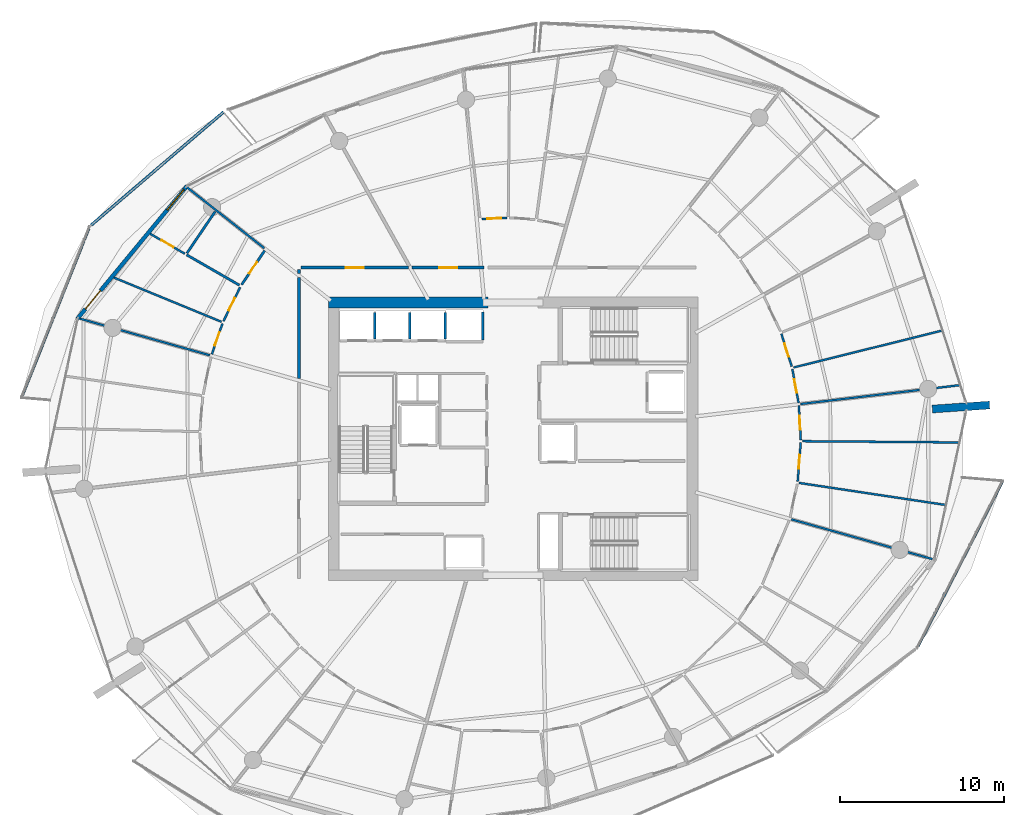
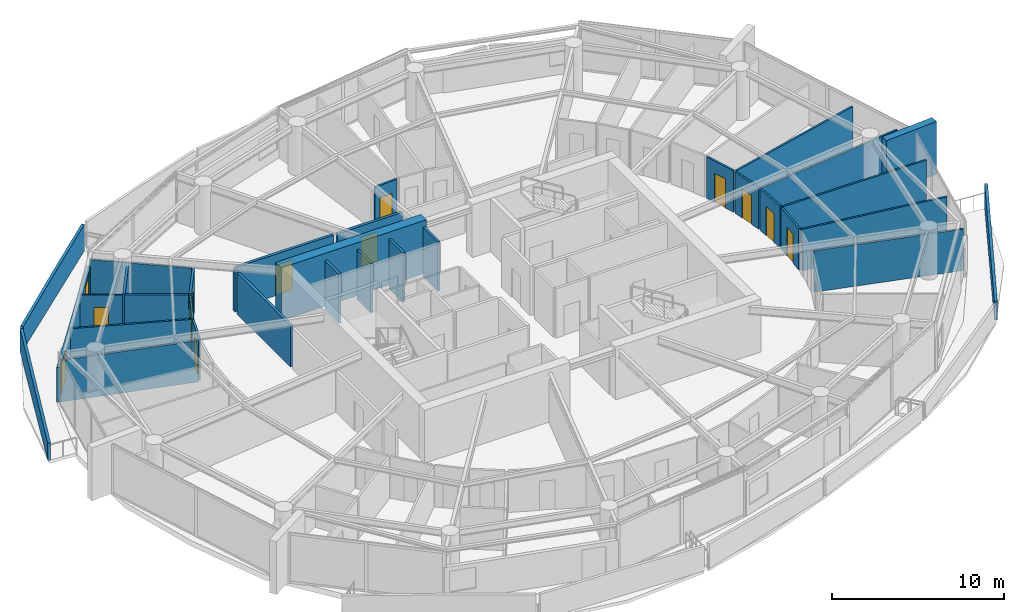
# One storey, part 14 of 21: 33 walls, 12 doors, 1 window, 13 openings.
"""IFC4 building model written with IfcOpenShell, lengths in metres."""

from ifc_helpers import new_model, si_unit, direction, frame, frame_2d, origin, place, context, subcontext, project, spatial, polyline, rectangle, outline, extrude, material, layer, layer_set, type_object, element, fill, save


model = new_model("IFC4")

# Units and contexts
model_context = context("Model", 3, precision=1e-05, world=origin(), true_north=direction((0.0, 1.0)))
body_context = subcontext(model_context, "Body", "Model", "MODEL_VIEW")
ifc_project = project(units=[si_unit("LENGTHUNIT", "METRE"), si_unit("AREAUNIT", "SQUARE_METRE"), si_unit("VOLUMEUNIT", "CUBIC_METRE"), si_unit("PLANEANGLEUNIT", "RADIAN"), si_unit("MASSUNIT", "GRAM", prefix="KILO")], contexts=[model_context])

# Site, building, storey
site_placement = place(None, origin())
site = spatial("IfcSite", under=ifc_project, at=site_placement, CompositionType="ELEMENT")
building_placement = place(site_placement, origin())
building = spatial("IfcBuilding", under=site, at=building_placement, Name="Kazma Halo Residences", CompositionType="ELEMENT")
storey_placement = place(building_placement, frame((0.0, 0.0, 176.550048828125)))
storey = spatial("IfcBuildingStorey", under=building, at=storey_placement, Name="L44", CompositionType="ELEMENT", Elevation=176.550048828125)

# Walls
ifc_material_1 = material(Name="White Concrete C50/60 Balustrade", Category="concrete")
ifc_layer_1 = layer(ifc_material_1, 0.179931640625)
ifc_layer_set_1 = layer_set([ifc_layer_1], Name="White Concrete C50/60 Balustrade")
wall_type_1 = type_object("IfcWallType", Name="WL-BAL-WAVE-180", PredefinedType="PARAPET", material=ifc_layer_set_1)
wall_1_placement = place(storey_placement, frame((30.751708984375, 61.947021484375, 0.0), z_axis=(0.0, 0.0, 1.0), x_axis=(-0.760227532438, -0.649656908624, 0.0)))
element("IfcWall", 1, at=wall_1_placement, inside=storey, type_object=wall_type_1, Name="L44 white wave balustrade wall NW.1", PredefinedType="PARAPET", context=body_context, shape_type="SweptSolid", body=[
    extrude(outline(polyline([(0.0, 0.0), (10.640380859375, 0.0), (10.640380859375, 1.6318359375), (5.3203125, 1.7978515625), (0.0, 1.85986328125), (0.0, 0.0)])), frame((0.0, 0.08984375, 0.0), z_axis=(0.0, -1.0, 0.0), x_axis=(1.0, 0.0, 0.0)), (0.0, 0.0, 1.0), 0.179931640625),
])
wall_2_placement = place(storey_placement, frame((22.52685546875, 54.844970703125, 0.0), z_axis=(0.0, 0.0, 1.0), x_axis=(-0.369781756991, -0.929118642691, 0.0)))
element("IfcWall", 2, at=wall_2_placement, inside=storey, type_object=wall_type_1, Name="L44 white wave balustrade wall NW.2", PredefinedType="PARAPET", context=body_context, shape_type="SweptSolid", body=[
    extrude(outline(polyline([(0.0, 0.0), (11.122802734375, 0.0), (11.123046875, 1.23291015625), (5.5615234375, 1.41796875), (0.0, 1.6318359375), (0.0, 0.0)])), frame((0.0, 0.08984375, 0.0), z_axis=(0.0, -1.0, 0.0), x_axis=(1.0, 0.0, 0.0)), (0.0, 0.0, 1.0), 0.179931640625),
])
wall_3_placement = place(storey_placement, frame((73.128662109375, 29.330810546875, 0.0), z_axis=(0.0, 0.0, 1.0), x_axis=(0.456201330326, 0.889876590437, 0.0)))
element("IfcWall", 3, at=wall_3_placement, inside=storey, type_object=wall_type_1, Name="L44 white wave balustrade wall SE.2", PredefinedType="PARAPET", context=body_context, shape_type="SweptSolid", body=[
    extrude(outline(polyline([(0.0, 0.0), (11.347412109375, 0.0), (11.347412109375, 1.7470703125), (5.673583984375, 1.56201171875), (0.0, 1.347900390625), (0.0, 0.0)])), frame((0.0, 0.08984375, 0.0), z_axis=(0.0, -1.0, 0.0), x_axis=(1.0, 0.0, 0.0)), (0.0, 0.0, 1.0), 0.179931640625),
])
ifc_material_2 = material(Name="Pale Concrete C60/75", Category="concrete")
ifc_layer_2 = layer(ifc_material_2, 0.47998046875)
ifc_layer_set_2 = layer_set([ifc_layer_2], Name="Pale Concrete C60/75")
wall_type_2 = type_object("IfcWallType", Name="WL-BLADE-480", PredefinedType="SOLIDWALL", material=ifc_layer_set_2)
wall_4_placement = place(storey_placement, frame((74.0126953125, 43.819091796875, 0.0), z_axis=(0.0, 0.0, 1.0), x_axis=(0.997568676264, 0.069690287244, 0.0)))
element("IfcWall", 4, at=wall_4_placement, inside=storey, type_object=wall_type_2, Name="L44 pale concrete structural blade fin wall BW-04", PredefinedType="SOLIDWALL", context=body_context, shape_type="SweptSolid", body=[
    extrude(rectangle(XDim=3.499755859375, YDim=0.47998046875, at=frame_2d((1.75, 0.0))), origin(), (0.0, 0.0, 1.0), 3.75),
])
ifc_material_3 = material(Name="Concrete C60/75", Category="concrete")
ifc_layer_3 = layer(ifc_material_3, 0.64990234375)
ifc_layer_set_3 = layer_set([ifc_layer_3], Name="Concrete C60/75")
wall_type_3 = type_object("IfcWallType", Name="WL-CORE-650", PredefinedType="SHEAR", material=ifc_layer_set_3)
wall_5_placement = place(storey_placement, frame((37.14990234375, 50.324951171875, 0.0), z_axis=(0.0, 0.0, 1.0), x_axis=(1.0, 0.0, 0.0)))
element("IfcWall", 5, at=wall_5_placement, inside=storey, type_object=wall_type_3, Name="L44 central core shear wall NW", PredefinedType="SHEAR", context=body_context, shape_type="SweptSolid", body=[
    extrude(rectangle(XDim=9.75, YDim=0.64990234375, at=frame_2d((4.875, 0.0))), origin(), (0.0, 0.0, 1.0), 3.75),
])

# Wall, opening, door
ifc_material_4 = material(Name="Acoustic Twin-Stud Gypsum")
ifc_layer_4 = layer(ifc_material_4, 0.179931640625)
ifc_layer_set_4 = layer_set([ifc_layer_4], Name="Acoustic Twin-Stud Gypsum")
wall_type_4 = type_object("IfcWallType", Name="WL-DEM-180", PredefinedType="PARTITIONING", material=ifc_layer_set_4)
wall_6_placement = place(storey_placement, frame((46.643310546875, 52.449951171875, 0.0), z_axis=(0.0, 0.0, 1.0), x_axis=(-1.0, 0.0, 0.0)))
wall_6 = element("IfcWall", 6, at=wall_6_placement, inside=storey, type_object=wall_type_4, Name="L44 Apartment 1 entrance corridor wall", PredefinedType="PARTITIONING", context=body_context, shape_type="SweptSolid", body=[
    extrude(rectangle(XDim=4.375732421875, YDim=0.179931640625, at=frame_2d((2.18798828125, 0.0))), origin(), (0.0, 0.0, 1.0), 2.93994140625),
])
opening_1_placement = place(wall_6_placement, frame((1.6376953125, 0.0, 0.0)))
opening_1 = element("IfcOpeningElement", 7, at=opening_1_placement, cuts=wall_6, Name="Opening DA-1100", PredefinedType="OPENING", context=body_context, shape_type="SweptSolid", body=[
    extrude(rectangle(XDim=1.10009765625, YDim=2.10009765625, at=frame_2d((0.550048828125, 1.050048828125))), frame((0.0, 0.099853515625, 0.0), z_axis=(0.0, -1.0, 0.0), x_axis=(1.0, 0.0, 0.0)), (0.0, 0.0, 1.0), 0.199951171875),
])
ifc_material_5 = material(Name="Acoustic Walnut Fire Leaf")
door_type_1 = type_object("IfcDoorType", Name="DR-FD60-1100", OperationType="NOTDEFINED", PredefinedType="DOOR", material=ifc_material_5)
door_1_placement = place(opening_1_placement, origin())
door_1 = element("IfcDoor", 8, at=door_1_placement, inside=storey, type_object=door_type_1, Name="L44 Apartment 1 entrance fire door", OperationType="SINGLE_SWING_RIGHT", OverallHeight=2.10009765625, OverallWidth=1.10009765625, PredefinedType="DOOR", context=body_context, shape_type="SweptSolid", body=[
    extrude(rectangle(XDim=1.10009765625, YDim=2.10009765625, at=frame_2d((0.550048828125, 1.050048828125))), frame((0.0, 0.02490234375, 0.0), z_axis=(0.0, -1.0, 0.0), x_axis=(1.0, 0.0, 0.0)), (0.0, 0.0, 1.0), 0.050048828125),
])
fill(opening_1, door_1)

wall_7_placement = place(storey_placement, frame((42.027587890625, 52.449951171875, 0.0), z_axis=(0.0, 0.0, 1.0), x_axis=(-1.0, 0.0, 0.0)))
wall_7 = element("IfcWall", 9, at=wall_7_placement, inside=storey, type_object=wall_type_4, Name="L44 Apartment 2 entrance corridor wall", PredefinedType="PARTITIONING", context=body_context, shape_type="SweptSolid", body=[
    extrude(rectangle(XDim=6.5576171875, YDim=0.179931640625, at=frame_2d((3.27880859375, 0.0))), origin(), (0.0, 0.0, 1.0), 2.93994140625),
])
opening_2_placement = place(wall_7_placement, frame((2.72900390625, 0.0, 0.0)))
opening_2 = element("IfcOpeningElement", 10, at=opening_2_placement, cuts=wall_7, Name="Opening DA-1100", PredefinedType="OPENING", context=body_context, shape_type="SweptSolid", body=[
    extrude(rectangle(XDim=1.10009765625, YDim=2.10009765625, at=frame_2d((0.550048828125, 1.050048828125))), frame((0.0, 0.099853515625, 0.0), z_axis=(0.0, -1.0, 0.0), x_axis=(1.0, 0.0, 0.0)), (0.0, 0.0, 1.0), 0.199951171875),
])
door_2_placement = place(opening_2_placement, origin())
door_2 = element("IfcDoor", 11, at=door_2_placement, inside=storey, type_object=door_type_1, Name="L44 Apartment 2 entrance fire door", OperationType="SINGLE_SWING_LEFT", OverallHeight=2.10009765625, OverallWidth=1.10009765625, PredefinedType="DOOR", context=body_context, shape_type="SweptSolid", body=[
    extrude(rectangle(XDim=1.10009765625, YDim=2.10009765625, at=frame_2d((0.550048828125, 1.050048828125))), frame((0.0, 0.02490234375, 0.0), z_axis=(0.0, -1.0, 0.0), x_axis=(1.0, 0.0, 0.0)), (0.0, 0.0, 1.0), 0.050048828125),
])
fill(opening_2, door_2)

# Walls
wall_8_placement = place(storey_placement, frame((35.35009765625, 52.330078125, 0.0), z_axis=(0.0, 0.0, 1.0), x_axis=(0.0, -1.0, 0.0)))
element("IfcWall", 12, at=wall_8_placement, inside=storey, type_object=wall_type_4, Name="L44 Apartment 2 entrance corridor wall", PredefinedType="PARTITIONING", context=body_context, shape_type="SweptSolid", body=[
    extrude(rectangle(XDim=0.237548828125, YDim=0.179931640625, at=frame_2d((0.11865234375, 0.0))), origin(), (0.0, 0.0, 1.0), 2.93994140625),
])
wall_9_placement = place(storey_placement, frame((35.35009765625, 51.8525390625, 0.0), z_axis=(0.0, 0.0, 1.0), x_axis=(0.0, -1.0, 0.0)))
element("IfcWall", 13, at=wall_9_placement, inside=storey, type_object=wall_type_4, Name="L44 Apartment 2 inner wall 5", PredefinedType="PARTITIONING", context=body_context, shape_type="SweptSolid", body=[
    extrude(rectangle(XDim=6.164794921875, YDim=0.179931640625, at=frame_2d((3.08251953125, 0.0))), origin(), (0.0, 0.0, 1.0), 2.93994140625),
])

# Wall, openings, door, window
ifc_material_6 = material(Name="Insulated Pale-Metal Composite Wall")
ifc_layer_5 = layer(ifc_material_6, 0.239990234375)
ifc_layer_set_5 = layer_set([ifc_layer_5], Name="Insulated Pale-Metal Composite Wall")
wall_type_5 = type_object("IfcWallType", Name="WL-EXT-HOST-240", PredefinedType="SOLIDWALL", material=ifc_layer_set_5)
wall_10_placement = place(storey_placement, frame((28.514892578125, 57.42431640625, 0.0), z_axis=(0.0, 0.0, 1.0), x_axis=(-0.636759394418, -0.771062561418, 0.0)))
wall_10 = element("IfcWall", 14, at=wall_10_placement, inside=storey, type_object=wall_type_5, Name="L44 exterior terrace-access wall B06", PredefinedType="SOLIDWALL", context=body_context, shape_type="SweptSolid", body=[
    extrude(rectangle(XDim=10.494384765625, YDim=0.239990234375, at=frame_2d((5.2470703125, 0.0))), origin(), (0.0, 0.0, 1.0), 2.449951171875),
])
opening_3_placement = place(wall_10_placement, frame((8.2744140625, 0.0, 0.0)))
opening_3 = element("IfcOpeningElement", 15, at=opening_3_placement, cuts=wall_10, Name="Opening DTR-1600", PredefinedType="OPENING", context=body_context, shape_type="SweptSolid", body=[
    extrude(rectangle(XDim=1.449951171875, YDim=2.14990234375, at=frame_2d((0.72509765625, 1.074951171875))), frame((0.0, 0.1298828125, 0.0), z_axis=(0.0, -1.0, 0.0), x_axis=(1.0, 0.0, 0.0)), (0.0, 0.0, 1.0), 0.260009765625),
])
opening_4_placement = place(wall_10_placement, frame((0.280029296875, 0.0, 0.64990234375)))
opening_4 = element("IfcOpeningElement", 16, at=opening_4_placement, cuts=wall_10, Name="Opening W-1800", PredefinedType="OPENING", context=body_context, shape_type="SweptSolid", body=[
    extrude(rectangle(XDim=1.60009765625, YDim=1.5, at=frame_2d((0.800048828125, 0.75))), frame((0.0, 0.1298828125, 0.0), z_axis=(0.0, -1.0, 0.0), x_axis=(1.0, 0.0, 0.0)), (0.0, 0.0, 1.0), 0.260009765625),
])
ifc_material_7 = material(Name="Aluminium AW-6063 T6 Double-Glazed Terrace Door", Category="aluminium")
door_type_2 = type_object("IfcDoorType", Name="DR-EXT-TERR-1600", OperationType="NOTDEFINED", PredefinedType="DOOR", material=ifc_material_7)
door_3_placement = place(opening_3_placement, origin())
door_3 = element("IfcDoor", 17, at=door_3_placement, inside=storey, type_object=door_type_2, Name="L44 B06 balcony terrace door", OperationType="DOUBLE_DOOR_SLIDING", OverallHeight=2.14990234375, OverallWidth=1.449951171875, PredefinedType="DOOR", context=body_context, shape_type="SweptSolid", body=[
    extrude(rectangle(XDim=1.449951171875, YDim=2.14990234375, at=frame_2d((0.72509765625, 1.074951171875))), frame((0.0, 0.02490234375, 0.0), z_axis=(0.0, -1.0, 0.0), x_axis=(1.0, 0.0, 0.0)), (0.0, 0.0, 1.0), 0.050048828125),
])
fill(opening_3, door_3)
ifc_material_8 = material(Name="Clear Triple-Silver Low-E Glass in Aluminium AW-6063 T6 Frame", Category="aluminium")
window_type = type_object("IfcWindowType", Name="WIN-RES-1800", PartitioningType="DOUBLE_PANEL_VERTICAL", PredefinedType="WINDOW", material=ifc_material_8)
window_placement = place(opening_4_placement, origin())
window = element("IfcWindow", 18, at=window_placement, inside=storey, type_object=window_type, Name="L44 B06 apartment window", OverallHeight=1.5, OverallWidth=1.60009765625, PartitioningType="SINGLE_PANEL", PredefinedType="WINDOW", context=body_context, shape_type="SweptSolid", body=[
    extrude(rectangle(XDim=1.60009765625, YDim=1.5, at=frame_2d((0.800048828125, 0.75))), frame((0.0, 0.030029296875, 0.0), z_axis=(0.0, -1.0, 0.0), x_axis=(1.0, 0.0, 0.0)), (0.0, 0.0, 1.0), 0.06005859375),
])
fill(opening_4, window)

# Walls
ifc_material_9 = material(Name="Fire-Rated Blockwork Masonry", Category="masonry")
ifc_layer_6 = layer(ifc_material_9, 0.199951171875)
ifc_layer_set_6 = layer_set([ifc_layer_6], Name="Fire-Rated Blockwork Masonry")
wall_type_6 = type_object("IfcWallType", Name="WL-FLB-200", PredefinedType="PARTITIONING", material=ifc_layer_set_6)
for number, where, z_axis, x_axis, name in (
    (19, (39.97509765625, 48.094970703125, 0.0), (0.0, 0.0, 1.0), (0.0, 1.0, 0.0), "L44 lift shaft PM-01 side wall E"),
    (20, (42.125, 48.094970703125, 0.0), (0.0, 0.0, 1.0), (0.0, 1.0, 0.0), "L44 lift shaft PM-02 side wall E"),
    (21, (44.27490234375, 48.094970703125, 0.0), (0.0, 0.0, 1.0), (0.0, 1.0, 0.0), "L44 lift shaft PM-03 side wall E"),
):
    element("IfcWall", number, at=place(storey_placement, frame(where, z_axis=z_axis, x_axis=x_axis)), inside=storey, type_object=wall_type_6, Name=name, PredefinedType="PARTITIONING", context=body_context, shape_type="SweptSolid", body=[
        extrude(rectangle(XDim=1.610107421875, YDim=0.159912109375, at=frame_2d((0.80517578125, 0.0))), origin(), (0.0, 0.0, 1.0), 3.5),
    ])
wall_11_placement = place(storey_placement, frame((46.580078125, 48.044921875, 0.0), z_axis=(0.0, 0.0, 1.0), x_axis=(0.0, 1.0, 0.0)))
element("IfcWall", 22, at=wall_11_placement, inside=storey, type_object=wall_type_6, Name="L44 lift shaft PX-01 side wall E", PredefinedType="PARTITIONING", context=body_context, shape_type="SweptSolid", body=[
    extrude(rectangle(XDim=1.7099609375, YDim=0.159912109375, at=frame_2d((0.85498046875, 0.0))), origin(), (0.0, 0.0, 1.0), 3.5),
])

# Wall, opening, door
ifc_material_10 = material(Name="Gypsum Plasterboard Partition")
ifc_layer_7 = layer(ifc_material_10, 0.125)
ifc_layer_set_7 = layer_set([ifc_layer_7], Name="Gypsum Plasterboard Partition")
wall_type_7 = type_object("IfcWallType", Name="WL-PART-125", PredefinedType="PARTITIONING", material=ifc_layer_set_7)
wall_12_placement = place(storey_placement, frame((48.04736328125, 55.4921875, 0.0), z_axis=(0.0, 0.0, 1.0), x_axis=(-0.998521830203, -0.054352135274, 0.0)))
wall_12 = element("IfcWall", 23, at=wall_12_placement, inside=storey, type_object=wall_type_7, Name="L44 Apartment 1 Primary Bedroom hall wall", PredefinedType="PARTITIONING", context=body_context, shape_type="SweptSolid", body=[
    extrude(rectangle(XDim=1.5361328125, YDim=0.125, at=frame_2d((0.76806640625, 0.0))), origin(), (0.0, 0.0, 1.0), 2.93994140625),
])
opening_5_placement = place(wall_12_placement, frame((0.343017578125, 0.0, 0.0)))
opening_5 = element("IfcOpeningElement", 24, at=opening_5_placement, cuts=wall_12, Name="Opening DB-900", PredefinedType="OPENING", context=body_context, shape_type="SweptSolid", body=[
    extrude(rectangle(XDim=0.85009765625, YDim=2.06005859375, at=frame_2d((0.425048828125, 1.030029296875))), frame((0.0, 0.072509765625, 0.0), z_axis=(0.0, -1.0, 0.0), x_axis=(1.0, 0.0, 0.0)), (0.0, 0.0, 1.0), 0.14501953125),
])
ifc_material_11 = material(Name="Moisture-Sealed Timber Leaf", Category="wood")
door_type_3 = type_object("IfcDoorType", Name="DR-BTH-900", OperationType="NOTDEFINED", PredefinedType="DOOR", material=ifc_material_11)
door_4_placement = place(opening_5_placement, origin())
door_4 = element("IfcDoor", 25, at=door_4_placement, inside=storey, type_object=door_type_3, Name="L44 Apartment 1 Primary Bedroom door", OperationType="SINGLE_SWING_RIGHT", OverallHeight=2.06005859375, OverallWidth=0.85009765625, PredefinedType="DOOR", context=body_context, shape_type="SweptSolid", body=[
    extrude(rectangle(XDim=0.85009765625, YDim=2.06005859375, at=frame_2d((0.425048828125, 1.030029296875))), frame((0.0, 0.02490234375, 0.0), z_axis=(0.0, -1.0, 0.0), x_axis=(1.0, 0.0, 0.0)), (0.0, 0.0, 1.0), 0.050048828125),
])
fill(opening_5, door_4)

# Wall
wall_13_placement = place(storey_placement, frame((33.24072265625, 53.63525390625, 0.0), z_axis=(0.0, 0.0, 1.0), x_axis=(-0.785321754625, 0.619087830371, 0.0)))
element("IfcWall", 26, at=wall_13_placement, inside=storey, type_object=wall_type_7, Name="L44 Apartment 2 radial partition 5", PredefinedType="PARTITIONING", context=body_context, shape_type="SweptSolid", body=[
    extrude(rectangle(XDim=6.033203125, YDim=0.125, at=frame_2d((3.0166015625, 0.0))), origin(), (0.0, 0.0, 1.0), 2.93994140625),
])

# Wall, opening, door
wall_14_placement = place(storey_placement, frame((28.387939453125, 53.299072265625, 0.0), z_axis=(0.0, 0.0, 1.0), x_axis=(-0.866470316497, 0.499228595565, 0.0)))
wall_14 = element("IfcWall", 27, at=wall_14_placement, inside=storey, type_object=wall_type_7, Name="L44 Apartment 2 Utility Laundry Room partition wall", PredefinedType="PARTITIONING", context=body_context, shape_type="SweptSolid", body=[
    extrude(rectangle(XDim=2.439697265625, YDim=0.125, at=frame_2d((1.2197265625, 0.0))), origin(), (0.0, 0.0, 1.0), 2.93994140625),
])
opening_6_placement = place(wall_14_placement, frame((0.794921875, 0.0, 0.0)))
opening_6 = element("IfcOpeningElement", 28, at=opening_6_placement, cuts=wall_14, Name="Opening DB-900", PredefinedType="OPENING", context=body_context, shape_type="SweptSolid", body=[
    extrude(rectangle(XDim=0.85009765625, YDim=2.06005859375, at=frame_2d((0.425048828125, 1.030029296875))), frame((0.0, 0.072509765625, 0.0), z_axis=(0.0, -1.0, 0.0), x_axis=(1.0, 0.0, 0.0)), (0.0, 0.0, 1.0), 0.14501953125),
])
door_5_placement = place(opening_6_placement, origin())
door_5 = element("IfcDoor", 29, at=door_5_placement, inside=storey, type_object=door_type_3, Name="L44 Apartment 2 Utility Laundry Room door", OperationType="SINGLE_SWING_LEFT", OverallHeight=2.06005859375, OverallWidth=0.85009765625, PredefinedType="DOOR", context=body_context, shape_type="SweptSolid", body=[
    extrude(rectangle(XDim=0.85009765625, YDim=2.06005859375, at=frame_2d((0.425048828125, 1.030029296875))), frame((0.0, 0.02490234375, 0.0), z_axis=(0.0, -1.0, 0.0), x_axis=(1.0, 0.0, 0.0)), (0.0, 0.0, 1.0), 0.050048828125),
])
fill(opening_6, door_5)

# Wall
wall_15_placement = place(storey_placement, frame((30.62744140625, 49.143310546875, 0.0), z_axis=(0.0, 0.0, 1.0), x_axis=(-0.92485745631, 0.380313930205, 0.0)))
element("IfcWall", 30, at=wall_15_placement, inside=storey, type_object=wall_type_7, Name="L44 Apartment 2 suite divider 5", PredefinedType="PARTITIONING", context=body_context, shape_type="SweptSolid", body=[
    extrude(rectangle(XDim=7.099853515625, YDim=0.125, at=frame_2d((3.5498046875, 0.0))), origin(), (0.0, 0.0, 1.0), 2.93994140625),
])

# Wall, opening, door
wall_16_placement = place(storey_placement, frame((31.76220703125, 51.25146484375, 0.0), z_axis=(0.0, 0.0, 1.0), x_axis=(-0.440639073568, -0.897684358138, 0.0)))
wall_16 = element("IfcWall", 31, at=wall_16_placement, inside=storey, type_object=wall_type_7, Name="L44 Apartment 2 Gourmet Kitchen hall wall", PredefinedType="PARTITIONING", context=body_context, shape_type="SweptSolid", body=[
    extrude(rectangle(XDim=2.306640625, YDim=0.125, at=frame_2d((1.1533203125, 0.0))), origin(), (0.0, 0.0, 1.0), 2.93994140625),
])
opening_7_placement = place(wall_16_placement, frame((0.728271484375, 0.0, 0.0)))
opening_7 = element("IfcOpeningElement", 32, at=opening_7_placement, cuts=wall_16, Name="Opening DB-900", PredefinedType="OPENING", context=body_context, shape_type="SweptSolid", body=[
    extrude(rectangle(XDim=0.85009765625, YDim=2.06005859375, at=frame_2d((0.425048828125, 1.030029296875))), frame((0.0, 0.072509765625, 0.0), z_axis=(0.0, -1.0, 0.0), x_axis=(1.0, 0.0, 0.0)), (0.0, 0.0, 1.0), 0.14501953125),
])
door_6_placement = place(opening_7_placement, origin())
door_6 = element("IfcDoor", 33, at=door_6_placement, inside=storey, type_object=door_type_3, Name="L44 Apartment 2 Gourmet Kitchen door", OperationType="SINGLE_SWING_RIGHT", OverallHeight=2.06005859375, OverallWidth=0.85009765625, PredefinedType="DOOR", context=body_context, shape_type="SweptSolid", body=[
    extrude(rectangle(XDim=0.85009765625, YDim=2.06005859375, at=frame_2d((0.425048828125, 1.030029296875))), frame((0.0, 0.02490234375, 0.0), z_axis=(0.0, -1.0, 0.0), x_axis=(1.0, 0.0, 0.0)), (0.0, 0.0, 1.0), 0.050048828125),
])
fill(opening_7, door_6)

wall_17_placement = place(storey_placement, frame((30.6845703125, 49.03369140625, 0.0), z_axis=(0.0, 0.0, 1.0), x_axis=(-0.326417745918, -0.945225610714, 0.0)))
wall_17 = element("IfcWall", 34, at=wall_17_placement, inside=storey, type_object=wall_type_7, Name="L44 Apartment 2 Primary Bedroom hall wall", PredefinedType="PARTITIONING", context=body_context, shape_type="SweptSolid", body=[
    extrude(rectangle(XDim=1.97314453125, YDim=0.125, at=frame_2d((0.986572265625, 0.0))), origin(), (0.0, 0.0, 1.0), 2.93994140625),
])
opening_8_placement = place(wall_17_placement, frame((0.561279296875, 0.0, 0.0)))
opening_8 = element("IfcOpeningElement", 35, at=opening_8_placement, cuts=wall_17, Name="Opening DB-900", PredefinedType="OPENING", context=body_context, shape_type="SweptSolid", body=[
    extrude(rectangle(XDim=0.85009765625, YDim=2.06005859375, at=frame_2d((0.425048828125, 1.030029296875))), frame((0.0, 0.072509765625, 0.0), z_axis=(0.0, -1.0, 0.0), x_axis=(1.0, 0.0, 0.0)), (0.0, 0.0, 1.0), 0.14501953125),
])
door_7_placement = place(opening_8_placement, origin())
door_7 = element("IfcDoor", 36, at=door_7_placement, inside=storey, type_object=door_type_3, Name="L44 Apartment 2 Primary Bedroom door", OperationType="SINGLE_SWING_LEFT", OverallHeight=2.06005859375, OverallWidth=0.85009765625, PredefinedType="DOOR", context=body_context, shape_type="SweptSolid", body=[
    extrude(rectangle(XDim=0.85009765625, YDim=2.06005859375, at=frame_2d((0.425048828125, 1.030029296875))), frame((0.0, 0.02490234375, 0.0), z_axis=(0.0, -1.0, 0.0), x_axis=(1.0, 0.0, 0.0)), (0.0, 0.0, 1.0), 0.050048828125),
])
fill(opening_8, door_7)

# Walls
wall_18_placement = place(storey_placement, frame((29.91162109375, 47.101318359375, 0.0), z_axis=(0.0, 0.0, 1.0), x_axis=(-0.962449080254, 0.271462277156, 0.0)))
element("IfcWall", 37, at=wall_18_placement, inside=storey, type_object=wall_type_7, Name="L44 Apartment 2 radial partition 6", PredefinedType="PARTITIONING", context=body_context, shape_type="SweptSolid", body=[
    extrude(rectangle(XDim=8.236328125, YDim=0.125, at=frame_2d((4.1181640625, 0.0))), origin(), (0.0, 0.0, 1.0), 2.93994140625),
])
wall_19_placement = place(storey_placement, frame((65.407958984375, 37.090576171875, 0.0), z_axis=(0.0, 0.0, 1.0), x_axis=(0.962449675986, -0.271460165022, 0.0)))
element("IfcWall", 38, at=wall_19_placement, inside=storey, type_object=wall_type_7, Name="L44 Apartment 4 radial partition 14", PredefinedType="PARTITIONING", context=body_context, shape_type="SweptSolid", body=[
    extrude(rectangle(XDim=8.943359375, YDim=0.125, at=frame_2d((4.4716796875, 0.0))), origin(), (0.0, 0.0, 1.0), 2.93994140625),
])
wall_20_placement = place(storey_placement, frame((65.876220703125, 39.3125, 0.0), z_axis=(0.0, 0.0, 1.0), x_axis=(0.988883657875, -0.148691328556, 0.0)))
element("IfcWall", 39, at=wall_20_placement, inside=storey, type_object=wall_type_7, Name="L44 Apartment 4 bay wall 1 14", PredefinedType="PARTITIONING", context=body_context, shape_type="SweptSolid", body=[
    extrude(rectangle(XDim=9.05029296875, YDim=0.125, at=frame_2d((4.525146484375, 0.0))), origin(), (0.0, 0.0, 1.0), 2.93994140625),
])
wall_21_placement = place(storey_placement, frame((66.076416015625, 41.85791015625, 0.0), z_axis=(0.0, 0.0, 1.0), x_axis=(0.999969321656, -0.007832990961, 0.0)))
element("IfcWall", 40, at=wall_21_placement, inside=storey, type_object=wall_type_7, Name="L44 Apartment 4 bay wall 2 14", PredefinedType="PARTITIONING", context=body_context, shape_type="SweptSolid", body=[
    extrude(rectangle(XDim=9.568603515625, YDim=0.125, at=frame_2d((4.7841796875, 0.0))), origin(), (0.0, 0.0, 1.0), 2.93994140625),
])

# Wall, opening, door
wall_22_placement = place(storey_placement, frame((65.79345703125, 39.405517578125, 0.0), z_axis=(0.0, 0.0, 1.0), x_axis=(0.078351129542, 0.996925824974, 0.0)))
wall_22 = element("IfcWall", 41, at=wall_22_placement, inside=storey, type_object=wall_type_7, Name="L44 Apartment 4 Outer Study hall wall", PredefinedType="PARTITIONING", context=body_context, shape_type="SweptSolid", body=[
    extrude(rectangle(XDim=2.380615234375, YDim=0.125, at=frame_2d((1.1904296875, 0.0))), origin(), (0.0, 0.0, 1.0), 2.93994140625),
])
opening_9_placement = place(wall_22_placement, frame((0.765380859375, 0.0, 0.0)))
opening_9 = element("IfcOpeningElement", 42, at=opening_9_placement, cuts=wall_22, Name="Opening DB-900", PredefinedType="OPENING", context=body_context, shape_type="SweptSolid", body=[
    extrude(rectangle(XDim=0.85009765625, YDim=2.06005859375, at=frame_2d((0.425048828125, 1.030029296875))), frame((0.0, 0.072509765625, 0.0), z_axis=(0.0, -1.0, 0.0), x_axis=(1.0, 0.0, 0.0)), (0.0, 0.0, 1.0), 0.14501953125),
])
door_8_placement = place(opening_9_placement, origin())
door_8 = element("IfcDoor", 43, at=door_8_placement, inside=storey, type_object=door_type_3, Name="L44 Apartment 4 Outer Study door", OperationType="SINGLE_SWING_LEFT", OverallHeight=2.06005859375, OverallWidth=0.85009765625, PredefinedType="DOOR", context=body_context, shape_type="SweptSolid", body=[
    extrude(rectangle(XDim=0.85009765625, YDim=2.06005859375, at=frame_2d((0.425048828125, 1.030029296875))), frame((0.0, 0.02490234375, 0.0), z_axis=(0.0, -1.0, 0.0), x_axis=(1.0, 0.0, 0.0)), (0.0, 0.0, 1.0), 0.050048828125),
])
fill(opening_9, door_8)

wall_23_placement = place(storey_placement, frame((65.98193359375, 41.938720703125, 0.0), z_axis=(0.0, 0.0, 1.0), x_axis=(-0.054909461876, 0.998491337467, 0.0)))
wall_23 = element("IfcWall", 44, at=wall_23_placement, inside=storey, type_object=wall_type_7, Name="L44 Apartment 4 Corner Bedroom hall wall", PredefinedType="PARTITIONING", context=body_context, shape_type="SweptSolid", body=[
    extrude(rectangle(XDim=2.0986328125, YDim=0.125, at=frame_2d((1.04931640625, 0.0))), origin(), (0.0, 0.0, 1.0), 2.93994140625),
])
opening_10_placement = place(wall_23_placement, frame((0.62451171875, 0.0, 0.0)))
opening_10 = element("IfcOpeningElement", 45, at=opening_10_placement, cuts=wall_23, Name="Opening DB-900", PredefinedType="OPENING", context=body_context, shape_type="SweptSolid", body=[
    extrude(rectangle(XDim=0.85009765625, YDim=2.06005859375, at=frame_2d((0.425048828125, 1.030029296875))), frame((0.0, 0.072509765625, 0.0), z_axis=(0.0, -1.0, 0.0), x_axis=(1.0, 0.0, 0.0)), (0.0, 0.0, 1.0), 0.14501953125),
])
door_9_placement = place(opening_10_placement, origin())
door_9 = element("IfcDoor", 46, at=door_9_placement, inside=storey, type_object=door_type_3, Name="L44 Apartment 4 Corner Bedroom door", OperationType="SINGLE_SWING_RIGHT", OverallHeight=2.06005859375, OverallWidth=0.85009765625, PredefinedType="DOOR", context=body_context, shape_type="SweptSolid", body=[
    extrude(rectangle(XDim=0.85009765625, YDim=2.06005859375, at=frame_2d((0.425048828125, 1.030029296875))), frame((0.0, 0.02490234375, 0.0), z_axis=(0.0, -1.0, 0.0), x_axis=(1.0, 0.0, 0.0)), (0.0, 0.0, 1.0), 0.050048828125),
])
fill(opening_10, door_9)

# Walls
wall_24_placement = place(storey_placement, frame((65.961669921875, 44.1259765625, 0.0), z_axis=(0.0, 0.0, 1.0), x_axis=(0.993068465016, 0.117537329351, 0.0)))
element("IfcWall", 47, at=wall_24_placement, inside=storey, type_object=wall_type_7, Name="L44 Apartment 4 radial partition 15", PredefinedType="PARTITIONING", context=body_context, shape_type="SweptSolid", body=[
    extrude(rectangle(XDim=9.80810546875, YDim=0.125, at=frame_2d((4.904052734375, 0.0))), origin(), (0.0, 0.0, 1.0), 2.93994140625),
])
wall_25_placement = place(storey_placement, frame((65.543701171875, 46.35791015625, 0.0), z_axis=(0.0, 0.0, 1.0), x_axis=(0.97050693763, 0.241073192229, 0.0)))
element("IfcWall", 48, at=wall_25_placement, inside=storey, type_object=wall_type_7, Name="L44 Apartment 4 bay wall 1 15", PredefinedType="PARTITIONING", context=body_context, shape_type="SweptSolid", body=[
    extrude(rectangle(XDim=9.3505859375, YDim=0.125, at=frame_2d((4.67529296875, 0.0))), origin(), (0.0, 0.0, 1.0), 2.93994140625),
])

# Wall, opening, door
wall_26_placement = place(storey_placement, frame((65.847900390625, 44.19287109375, 0.0), z_axis=(0.0, 0.0, 1.0), x_axis=(-0.179601937348, 0.983739367973, 0.0)))
wall_26 = element("IfcWall", 49, at=wall_26_placement, inside=storey, type_object=wall_type_7, Name="L44 Apartment 4 Garden Bedroom hall wall", PredefinedType="PARTITIONING", context=body_context, shape_type="SweptSolid", body=[
    extrude(rectangle(XDim=2.098876953125, YDim=0.125, at=frame_2d((1.04931640625, 0.0))), origin(), (0.0, 0.0, 1.0), 2.93994140625),
])
opening_11_placement = place(wall_26_placement, frame((0.62451171875, 0.0, 0.0)))
opening_11 = element("IfcOpeningElement", 50, at=opening_11_placement, cuts=wall_26, Name="Opening DB-900", PredefinedType="OPENING", context=body_context, shape_type="SweptSolid", body=[
    extrude(rectangle(XDim=0.85009765625, YDim=2.06005859375, at=frame_2d((0.425048828125, 1.030029296875))), frame((0.0, 0.072509765625, 0.0), z_axis=(0.0, -1.0, 0.0), x_axis=(1.0, 0.0, 0.0)), (0.0, 0.0, 1.0), 0.14501953125),
])
door_10_placement = place(opening_11_placement, origin())
door_10 = element("IfcDoor", 51, at=door_10_placement, inside=storey, type_object=door_type_3, Name="L44 Apartment 4 Garden Bedroom door", OperationType="SINGLE_SWING_LEFT", OverallHeight=2.06005859375, OverallWidth=0.85009765625, PredefinedType="DOOR", context=body_context, shape_type="SweptSolid", body=[
    extrude(rectangle(XDim=0.85009765625, YDim=2.06005859375, at=frame_2d((0.425048828125, 1.030029296875))), frame((0.0, 0.02490234375, 0.0), z_axis=(0.0, -1.0, 0.0), x_axis=(1.0, 0.0, 0.0)), (0.0, 0.0, 1.0), 0.050048828125),
])
fill(opening_11, door_10)

wall_27_placement = place(storey_placement, frame((65.432373046875, 46.41259765625, 0.0), z_axis=(0.0, 0.0, 1.0), x_axis=(-0.301532202781, 0.953455993052, 0.0)))
wall_27 = element("IfcWall", 52, at=wall_27_placement, inside=storey, type_object=wall_type_7, Name="L44 Apartment 4 Sky Laundry Room hall wall", PredefinedType="PARTITIONING", context=body_context, shape_type="SweptSolid", body=[
    extrude(rectangle(XDim=2.0986328125, YDim=0.125, at=frame_2d((1.04931640625, 0.0))), origin(), (0.0, 0.0, 1.0), 2.93994140625),
])
opening_12_placement = place(wall_27_placement, frame((0.62451171875, 0.0, 0.0)))
opening_12 = element("IfcOpeningElement", 53, at=opening_12_placement, cuts=wall_27, Name="Opening DB-900", PredefinedType="OPENING", context=body_context, shape_type="SweptSolid", body=[
    extrude(rectangle(XDim=0.85009765625, YDim=2.06005859375, at=frame_2d((0.425048828125, 1.030029296875))), frame((0.0, 0.072509765625, 0.0), z_axis=(0.0, -1.0, 0.0), x_axis=(1.0, 0.0, 0.0)), (0.0, 0.0, 1.0), 0.14501953125),
])
door_11_placement = place(opening_12_placement, origin())
door_11 = element("IfcDoor", 54, at=door_11_placement, inside=storey, type_object=door_type_3, Name="L44 Apartment 4 Sky Laundry Room door", OperationType="SINGLE_SWING_RIGHT", OverallHeight=2.06005859375, OverallWidth=0.85009765625, PredefinedType="DOOR", context=body_context, shape_type="SweptSolid", body=[
    extrude(rectangle(XDim=0.85009765625, YDim=2.06005859375, at=frame_2d((0.425048828125, 1.030029296875))), frame((0.0, 0.02490234375, 0.0), z_axis=(0.0, -1.0, 0.0), x_axis=(1.0, 0.0, 0.0)), (0.0, 0.0, 1.0), 0.050048828125),
])
fill(opening_12, door_11)

ifc_material_12 = material(Name="Moisture-Resistant Gypsum")
ifc_layer_8 = layer(ifc_material_12, 0.14990234375)
ifc_layer_set_8 = layer_set([ifc_layer_8], Name="Moisture-Resistant Gypsum")
wall_type_8 = type_object("IfcWallType", Name="WL-WET-150", PredefinedType="PARTITIONING", material=ifc_layer_set_8)
wall_28_placement = place(storey_placement, frame((33.26318359375, 53.490478515625, 0.0), z_axis=(0.0, 0.0, 1.0), x_axis=(-0.560597119889, -0.828088684364, 0.0)))
wall_28 = element("IfcWall", 55, at=wall_28_placement, inside=storey, type_object=wall_type_8, Name="L44 Apartment 2 Guest Bathroom hall wall", PredefinedType="PARTITIONING", context=body_context, shape_type="SweptSolid", body=[
    extrude(rectangle(XDim=2.516357421875, YDim=0.14990234375, at=frame_2d((1.25830078125, 0.0))), origin(), (0.0, 0.0, 1.0), 2.93994140625),
])
opening_13_placement = place(wall_28_placement, frame((0.833251953125, 0.0, 0.0)))
opening_13 = element("IfcOpeningElement", 56, at=opening_13_placement, cuts=wall_28, Name="Opening DB-900", PredefinedType="OPENING", context=body_context, shape_type="SweptSolid", body=[
    extrude(rectangle(XDim=0.85009765625, YDim=2.06005859375, at=frame_2d((0.425048828125, 1.030029296875))), frame((0.0, 0.0849609375, 0.0), z_axis=(0.0, -1.0, 0.0), x_axis=(1.0, 0.0, 0.0)), (0.0, 0.0, 1.0), 0.169921875),
])
door_12_placement = place(opening_13_placement, origin())
door_12 = element("IfcDoor", 57, at=door_12_placement, inside=storey, type_object=door_type_3, Name="L44 Apartment 2 Guest Bathroom door", OperationType="SINGLE_SWING_RIGHT", OverallHeight=2.06005859375, OverallWidth=0.85009765625, PredefinedType="DOOR", context=body_context, shape_type="SweptSolid", body=[
    extrude(rectangle(XDim=0.85009765625, YDim=2.06005859375, at=frame_2d((0.425048828125, 1.030029296875))), frame((0.0, 0.02490234375, 0.0), z_axis=(0.0, -1.0, 0.0), x_axis=(1.0, 0.0, 0.0)), (0.0, 0.0, 1.0), 0.050048828125),
])
fill(opening_13, door_12)

# Walls
wall_29_placement = place(storey_placement, frame((30.23974609375, 55.8740234375, 0.0), z_axis=(0.0, 0.0, 1.0), x_axis=(-0.560588198731, -0.828094723714, 0.0)))
element("IfcWall", 58, at=wall_29_placement, inside=storey, type_object=wall_type_8, Name="L44 Apartment 2 Guest Bathroom back wall", PredefinedType="PARTITIONING", context=body_context, shape_type="SweptSolid", body=[
    extrude(rectangle(XDim=3.07373046875, YDim=0.14990234375, at=frame_2d((1.536865234375, 0.0))), origin(), (0.0, 0.0, 1.0), 2.93994140625),
])
wall_30_placement = place(storey_placement, frame((31.72412109375, 51.377197265625, 0.0), z_axis=(0.0, 0.0, 1.0), x_axis=(-0.866501175841, 0.499175031693, 0.0)))
element("IfcWall", 59, at=wall_30_placement, inside=storey, type_object=wall_type_8, Name="L44 Apartment 2 Guest Bathroom side wall", PredefinedType="PARTITIONING", context=body_context, shape_type="SweptSolid", body=[
    extrude(rectangle(XDim=3.719970703125, YDim=0.14990234375, at=frame_2d((1.85986328125, 0.0))), origin(), (0.0, 0.0, 1.0), 2.93994140625),
])

save(model, "model.ifc")
